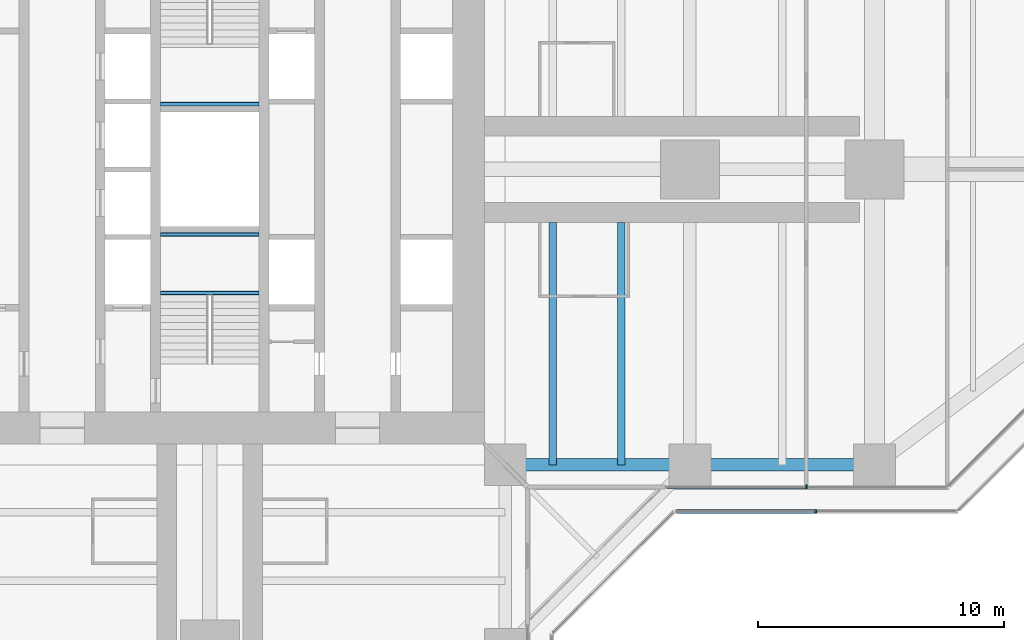
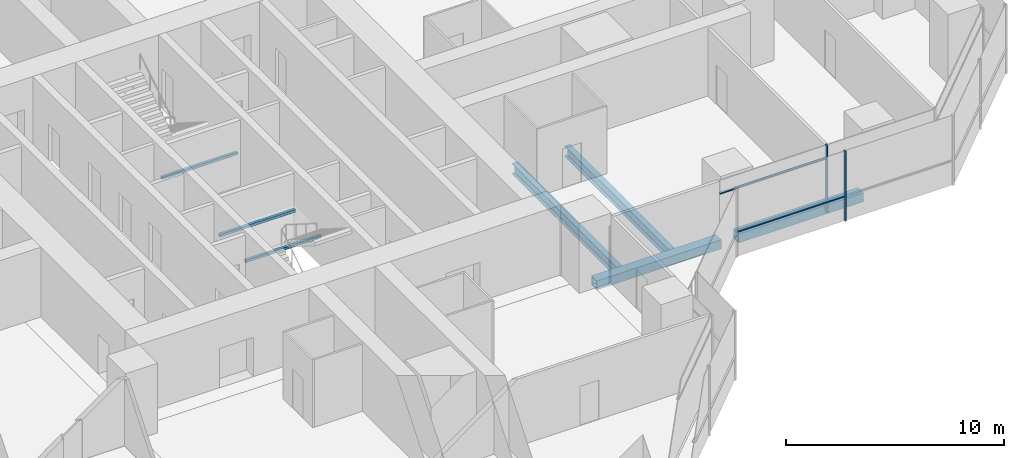
# One storey, part 5 of 19: 7 beams, 4 members, 2 elements without a shape of their own.
"""IFC4 building model written with IfcOpenShell, lengths in metres."""

from ifc_helpers import new_model, si_unit, direction, frame, origin, origin_2d, place, context, subcontext, project, spatial, rectangle, hollow_rectangle, i_section, extrude, material, material_profile, profile_set, type_object, element, aggregate, save


model = new_model("IFC4")

# Units and contexts
model_context = context("Model", 3, precision=1e-05, world=origin(), true_north=direction((0.0, 1.0)))
body_context = subcontext(model_context, "Body", "Model", "MODEL_VIEW")
ifc_project = project(units=[si_unit("LENGTHUNIT", "METRE"), si_unit("AREAUNIT", "SQUARE_METRE"), si_unit("VOLUMEUNIT", "CUBIC_METRE"), si_unit("PLANEANGLEUNIT", "RADIAN"), si_unit("MASSUNIT", "GRAM", prefix="KILO")], contexts=[model_context])

# Site, building, storey
site_placement = place(None, origin())
site = spatial("IfcSite", under=ifc_project, at=site_placement, CompositionType="ELEMENT")
building_placement = place(site_placement, origin())
building = spatial("IfcBuilding", under=site, at=building_placement, Name="Mizan Broadcast Tower", CompositionType="ELEMENT")
storey_placement = place(building_placement, frame((0.0, 0.0, 182.699951171875)))
storey = spatial("IfcBuildingStorey", under=building, at=storey_placement, Name="L42", CompositionType="ELEMENT", Elevation=182.699951171875)

# Beams
ifc_material_1 = material(Name="Steel S355", Category="steel")
ifc_material_profile_1 = material_profile(ifc_material_1, hollow_rectangle(XDim=0.5, YDim=0.5, WallThickness=0.030029296875, at=origin_2d()), Name="BOX 500x500x30")
ifc_profile_set_1 = profile_set([ifc_material_profile_1], Name="Steel S355")
beam_type_1 = type_object("IfcBeamType", Name="EDGE BEAM BOX 500x500x30", PredefinedType="SPANDREL", material=ifc_profile_set_1)
for number, where, z_axis, x_axis, name in (
    (1, (12.449951171875, -12.0, -0.3798828125), (1.0, 0.0, 0.0), (0.0, 1.0, 0.0), "Edge beam BOX 500x500x30 L42 east arm"),
    (2, (19.949951171875, -12.0, -0.3798828125), (1.0, 0.0, 0.0), (0.0, 1.0, 0.0), "Edge beam BOX 500x500x30 L42 east arm"),
):
    element("IfcBeam", number, at=place(storey_placement, frame(where, z_axis=z_axis, x_axis=x_axis)), inside=storey, type_object=beam_type_1, Name=name, PredefinedType="SPANDREL", context=body_context, shape_type="SweptSolid", body=[
        extrude(hollow_rectangle(XDim=0.5, YDim=0.5, WallThickness=0.030029296875, at=origin_2d()), origin(), (0.0, 0.0, 1.0), 6.60009765625),
    ])

# Curtain wall, members
ifc_material_2 = material(Name="Aluminium framed glazing", Category="aluminium")
curtain_wall_type_1 = type_object("IfcCurtainWallType", Name="INNER SKIN MID ZONE", PredefinedType="USERDEFINED", material=ifc_material_2)
curtain_wall_1_placement = place(storey_placement, origin())
curtain_wall_1 = element("IfcCurtainWall", 3, at=curtain_wall_1_placement, inside=storey, type_object=curtain_wall_type_1, Name="Inner skin mid zone L42 E side", ObjectType="INNER SKIN MID ZONE", PredefinedType="USERDEFINED")
ifc_material_3 = material(Name="Aluminium, pale anodised", Category="aluminium")
ifc_material_profile_2 = material_profile(ifc_material_3, rectangle(XDim=0.159912109375, YDim=0.06005859375, at=origin_2d()), Name="MULLION 160x60")
ifc_profile_set_2 = profile_set([ifc_material_profile_2], Name="Aluminium, pale anodised")
member_type_1 = type_object("IfcMemberType", Name="INNER SKIN MULLION 60x160", PredefinedType="MULLION", material=ifc_profile_set_2)
member_1_placement = place(storey_placement, frame((24.229248046875, -12.89990234375, 0.0), z_axis=(0.0, 0.0, 1.0), x_axis=(0.0, 1.0, 0.0)))
member_1 = element("IfcMember", 4, at=member_1_placement, type_object=member_type_1, Name="Inner skin mid zone L42 E side mullion 2", PredefinedType="MULLION", context=body_context, shape_type="SweptSolid", body=[
    extrude(rectangle(XDim=0.159912109375, YDim=0.06005859375, at=origin_2d()), origin(), (0.0, 0.0, 1.0), 3.77001953125),
])
ifc_material_4 = material(Name="Aluminium, pale anodised", Category="aluminium")
ifc_material_profile_3 = material_profile(ifc_material_4, rectangle(XDim=0.1201171875, YDim=0.06005859375, at=origin_2d()), Name="TRANSOM 120x60")
ifc_profile_set_3 = profile_set([ifc_material_profile_3], Name="Aluminium, pale anodised")
member_type_2 = type_object("IfcMemberType", Name="INNER SKIN TRANSOM 60x120", PredefinedType="USERDEFINED", material=ifc_profile_set_3)
member_2_placement = place(storey_placement, frame((18.56005859375, -12.89990234375, 3.030029296875), z_axis=(1.0, 0.0, 0.0), x_axis=(0.0, 1.0, 0.0)))
member_2 = element("IfcMember", 5, at=member_2_placement, type_object=member_type_2, Name="Inner skin mid zone L42 E side transom 1.1", ObjectType="TRANSOM", PredefinedType="USERDEFINED", context=body_context, shape_type="SweptSolid", body=[
    extrude(rectangle(XDim=0.1201171875, YDim=0.06005859375, at=origin_2d()), origin(), (0.0, 0.0, 1.0), 5.63916015625),
])
aggregate(curtain_wall_1, [member_1, member_2])

# Beams
ifc_material_5 = material(Name="Steel S355", Category="steel")
ifc_material_profile_4 = material_profile(ifc_material_5, hollow_rectangle(XDim=0.14990234375, YDim=0.14990234375, WallThickness=0.008056640625, InnerFilletRadius=0.008056640625, OuterFilletRadius=0.011962890625, at=origin_2d()), Name="SHS 150x150x8")
ifc_profile_set_4 = profile_set([ifc_material_profile_4], Name="Steel S355")
beam_type_2 = type_object("IfcBeamType", Name="LANDING TRIMMER SHS 150x150x8", PredefinedType="BEAM", material=ifc_profile_set_4)
for number, where, z_axis, x_axis, name in (
    (6, (-2.0, -5.02490234375, 1.675048828125), (1.0, 0.0, 0.0), (0.0, 1.0, 0.0), "Stair A landing trimmer L42"),
    (7, (-2.0, -2.64990234375, 1.675048828125), (1.0, 0.0, 0.0), (0.0, 1.0, 0.0), "Stair A landing trimmer L42"),
    (8, (2.0, 2.64990234375, 1.675048828125), (-1.0, 0.0, 0.0), (0.0, -1.0, 0.0), "Stair B landing trimmer L42"),
):
    element("IfcBeam", number, at=place(storey_placement, frame(where, z_axis=z_axis, x_axis=x_axis)), inside=storey, type_object=beam_type_2, Name=name, PredefinedType="BEAM", context=body_context, shape_type="SweptSolid", body=[
        extrude(hollow_rectangle(XDim=0.14990234375, YDim=0.14990234375, WallThickness=0.008056640625, InnerFilletRadius=0.008056640625, OuterFilletRadius=0.011962890625, at=origin_2d()), origin(), (0.0, 0.0, 1.0), 4.0),
    ])

# Curtain wall, members
ifc_material_6 = material(Name="Aluminium framed glazing", Category="aluminium")
curtain_wall_type_2 = type_object("IfcCurtainWallType", Name="OUTER SKIN", PredefinedType="USERDEFINED", material=ifc_material_6)
curtain_wall_2_placement = place(storey_placement, origin())
curtain_wall_2 = element("IfcCurtainWall", 9, at=curtain_wall_2_placement, inside=storey, type_object=curtain_wall_type_2, Name="Outer skin L42 E side", ObjectType="OUTER SKIN", PredefinedType="USERDEFINED")
ifc_material_7 = material(Name="Aluminium, pale anodised", Category="aluminium")
ifc_material_profile_5 = material_profile(ifc_material_7, rectangle(XDim=0.159912109375, YDim=0.080078125, at=origin_2d()), Name="MULLION 160x80")
ifc_profile_set_5 = profile_set([ifc_material_profile_5], Name="Aluminium, pale anodised")
member_type_3 = type_object("IfcMemberType", Name="OUTER SKIN MULLION 80x160", PredefinedType="MULLION", material=ifc_profile_set_5)
member_3_placement = place(storey_placement, frame((24.622802734375, -13.89990234375, 0.0), z_axis=(0.0, 0.0, 1.0), x_axis=(0.0, 1.0, 0.0)))
member_3 = element("IfcMember", 10, at=member_3_placement, type_object=member_type_3, Name="Outer skin L42 E side mullion 2", PredefinedType="MULLION", context=body_context, shape_type="SweptSolid", body=[
    extrude(rectangle(XDim=0.159912109375, YDim=0.080078125, at=origin_2d()), origin(), (0.0, 0.0, 1.0), 3.900146484375),
])
ifc_material_8 = material(Name="Aluminium, pale anodised", Category="aluminium")
ifc_material_profile_6 = material_profile(ifc_material_8, rectangle(XDim=0.159912109375, YDim=0.06005859375, at=origin_2d()), Name="TRANSOM 160x60")
ifc_profile_set_6 = profile_set([ifc_material_profile_6], Name="Aluminium, pale anodised")
member_type_4 = type_object("IfcMemberType", Name="OUTER SKIN TRANSOM 60x160", PredefinedType="USERDEFINED", material=ifc_profile_set_6)
member_4_placement = place(storey_placement, frame((18.952880859375, -13.89990234375, 1.400146484375), z_axis=(1.0, 0.0, 0.0), x_axis=(0.0, 1.0, 0.0)))
member_4 = element("IfcMember", 11, at=member_4_placement, type_object=member_type_4, Name="Outer skin L42 E side transom 1.1", ObjectType="TRANSOM", PredefinedType="USERDEFINED", context=body_context, shape_type="SweptSolid", body=[
    extrude(rectangle(XDim=0.159912109375, YDim=0.06005859375, at=origin_2d()), origin(), (0.0, 0.0, 1.0), 5.6298828125),
])
aggregate(curtain_wall_2, [member_3, member_4])

# Beams
ifc_material_9 = material(Name="Steel S355", Category="steel")
ifc_material_profile_7 = material_profile(ifc_material_9, i_section(OverallWidth=0.300048828125, OverallDepth=0.590087890625, WebThickness=0.012939453125, FlangeThickness=0.02490234375, FilletRadius=0.027099609375, at=origin_2d()), Name="HEA 600")
ifc_profile_set_7 = profile_set([ifc_material_profile_7], Name="Steel S355")
beam_type_3 = type_object("IfcBeamType", Name="SECONDARY BEAM HEA 600", PredefinedType="JOIST", material=ifc_profile_set_7)
for number, where, z_axis, x_axis, name in (
    (12, (13.933349609375, -12.0, -0.425048828125), (0.0, 1.0, 0.0), (-1.0, 0.0, 0.0), "Secondary beam HEA 600 L42 east arm"),
    (13, (16.716552734375, -12.0, -0.425048828125), (0.0, 1.0, 0.0), (-1.0, 0.0, 0.0), "Secondary beam HEA 600 L42 east arm"),
):
    element("IfcBeam", number, at=place(storey_placement, frame(where, z_axis=z_axis, x_axis=x_axis)), inside=storey, type_object=beam_type_3, Name=name, PredefinedType="JOIST", context=body_context, shape_type="SweptSolid", body=[
        extrude(i_section(OverallWidth=0.300048828125, OverallDepth=0.590087890625, WebThickness=0.012939453125, FlangeThickness=0.02490234375, FilletRadius=0.027099609375, at=origin_2d()), origin(), (0.0, 0.0, 1.0), 9.85009765625),
    ])

save(model, "model.ifc")
